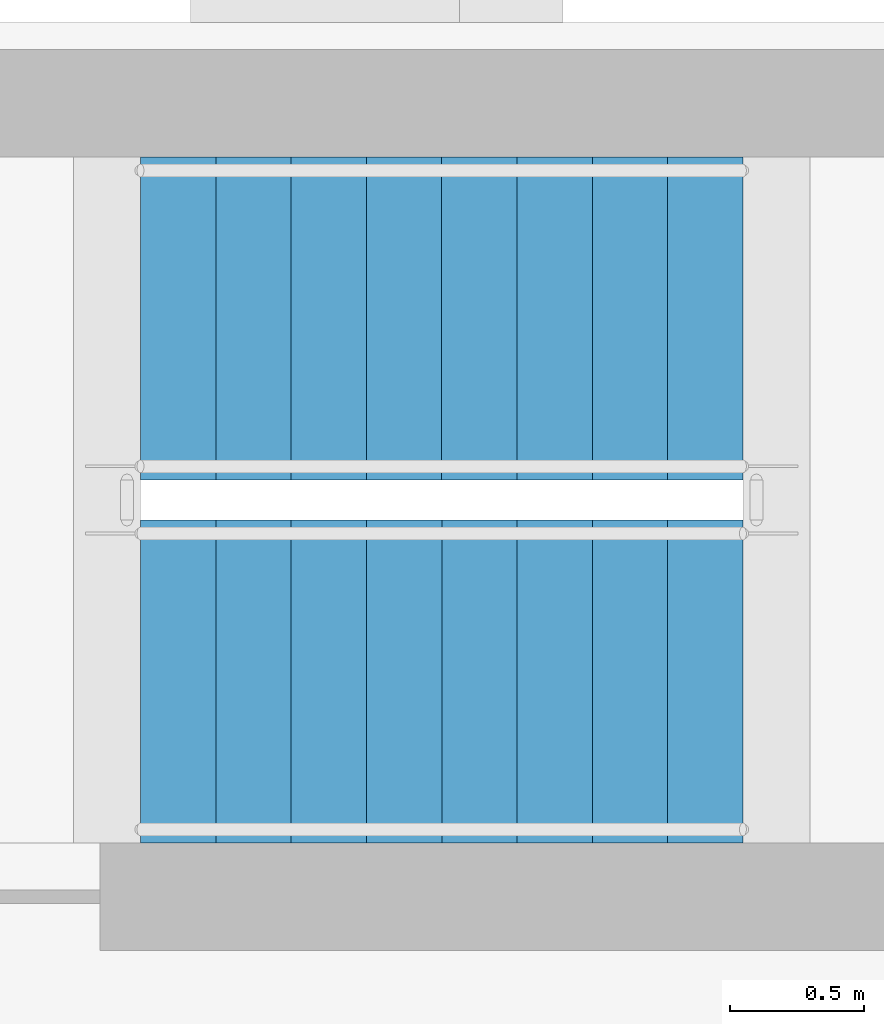
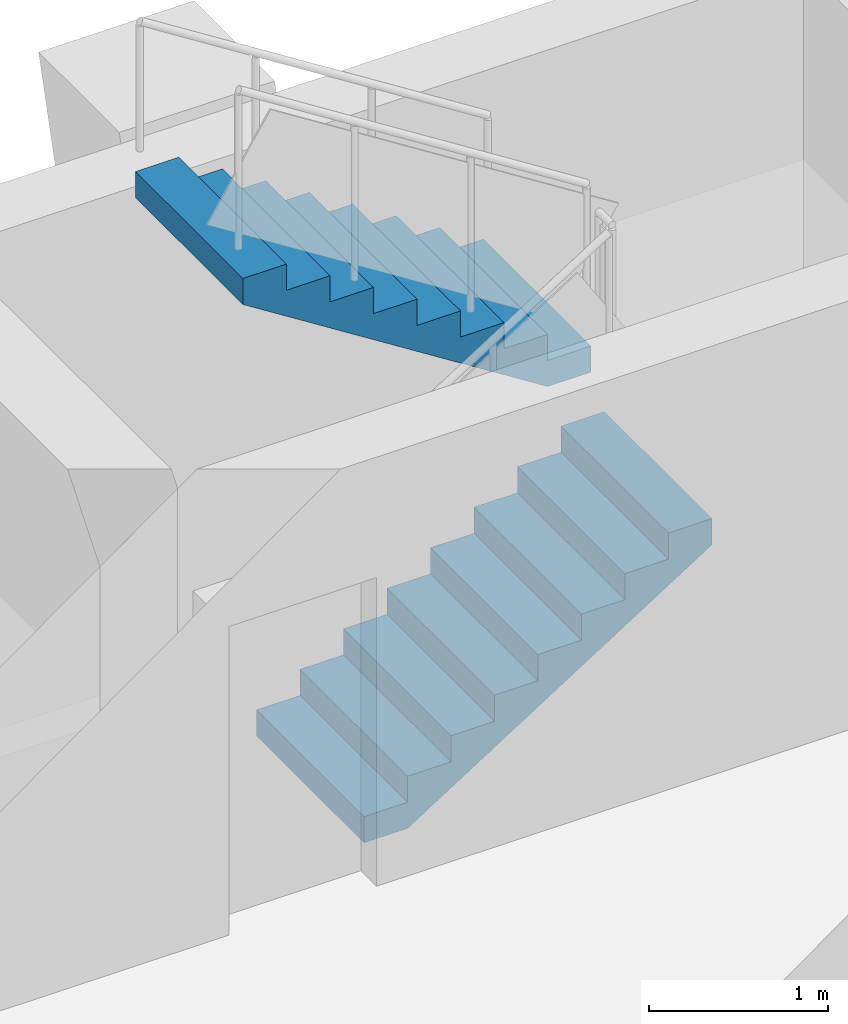
# One storey, part 12 of 16: 2 stair flights, 1 element without a shape of its own.
"""IFC4 building model written with IfcOpenShell, lengths in metres."""

from ifc_helpers import new_model, si_unit, direction, frame, origin, place, context, subcontext, project, spatial, polyline, outline, extrude, material, type_object, element, aggregate, save


model = new_model("IFC4")

# Units and contexts
model_context = context("Model", 3, precision=1e-05, world=origin(), true_north=direction((0.0, 1.0)))
body_context = subcontext(model_context, "Body", "Model", "MODEL_VIEW")
ifc_project = project(units=[si_unit("LENGTHUNIT", "METRE"), si_unit("AREAUNIT", "SQUARE_METRE"), si_unit("VOLUMEUNIT", "CUBIC_METRE"), si_unit("PLANEANGLEUNIT", "RADIAN"), si_unit("MASSUNIT", "GRAM", prefix="KILO")], contexts=[model_context])

# Site, building, storey
site_placement = place(None, origin())
site = spatial("IfcSite", under=ifc_project, at=site_placement, CompositionType="ELEMENT")
building_placement = place(site_placement, origin())
building = spatial("IfcBuilding", under=site, at=building_placement, Name="Vidyagriha Tower", CompositionType="ELEMENT")
storey_placement = place(building_placement, frame((0.0, 0.0, 223.60009765625)))
storey = spatial("IfcBuildingStorey", under=building, at=storey_placement, Name="L58", CompositionType="ELEMENT", Elevation=223.60009765625)

# Stair, stair flights
ifc_material_1 = material(Name="Concrete C40/50", Category="concrete")
stair_type = type_object("IfcStairType", Name="Exit stair, half-turn, precast flights", PredefinedType="HALF_TURN_STAIR", material=ifc_material_1)
stair_placement = place(storey_placement, origin())
stair = element("IfcStair", 1, at=stair_placement, inside=storey, type_object=stair_type, Name="L58 Exit Stair ST3", PredefinedType="HALF_TURN_STAIR")
ifc_material_2 = material(Name="Precast concrete C40/50", Category="concrete")
stair_flight_type = type_object("IfcStairFlightType", Name="Exit stair flight 1200 mm, precast", PredefinedType="STRAIGHT", material=ifc_material_2)
stair_flight_1_placement = place(storey_placement, frame((4.0, 17.550048828125, 0.0)))
stair_flight_1 = element("IfcStairFlight", 2, at=stair_flight_1_placement, type_object=stair_flight_type, Name="ST3 flight 1", NumberOfRisers=9, NumberOfTreads=8, PredefinedType="STRAIGHT", RiserHeight=0.177777778, TreadLength=0.28, context=body_context, shape_type="SweptSolid", body=[
    extrude(outline(polyline([(0.0, 0.0), (0.0, 0.177734375), (0.280029296875, 0.177734375), (0.280029296875, 0.35546875), (0.56005859375, 0.35546875), (0.56005859375, 0.533447265625), (0.840087890625, 0.533447265625), (0.840087890625, 0.711181640625), (1.1201171875, 0.711181640625), (1.1201171875, 0.888916015625), (1.39990234375, 0.888916015625), (1.39990234375, 1.066650390625), (1.679931640625, 1.066650390625), (1.679931640625, 1.244384765625), (1.9599609375, 1.244384765625), (1.9599609375, 1.422119140625), (2.239990234375, 1.422119140625), (2.239990234375, 1.60009765625), (2.239990234375, 1.24462890625), (0.27978515625, 0.0), (0.0, 0.0)])), frame((0.0, 0.60009765625, 0.0), z_axis=(0.0, -1.0, 0.0), x_axis=(1.0, 0.0, 0.0)), (0.0, 0.0, 1.0), 1.199951171875),
])
stair_flight_2_placement = place(storey_placement, frame((6.239990234375, 18.89990234375, 1.599853515625), z_axis=(0.0, 0.0, 1.0), x_axis=(-1.0, 0.0, 0.0)))
stair_flight_2 = element("IfcStairFlight", 3, at=stair_flight_2_placement, type_object=stair_flight_type, Name="ST3 flight 2", NumberOfRisers=9, NumberOfTreads=8, PredefinedType="STRAIGHT", RiserHeight=0.177777778, TreadLength=0.28, context=body_context, shape_type="SweptSolid", body=[
    extrude(outline(polyline([(0.0, 0.0), (0.0, 0.177734375), (0.280029296875, 0.177734375), (0.280029296875, 0.35546875), (0.56005859375, 0.35546875), (0.56005859375, 0.533447265625), (0.840087890625, 0.533447265625), (0.840087890625, 0.711181640625), (1.1201171875, 0.711181640625), (1.1201171875, 0.888916015625), (1.39990234375, 0.888916015625), (1.39990234375, 1.066650390625), (1.679931640625, 1.066650390625), (1.679931640625, 1.244384765625), (1.9599609375, 1.244384765625), (1.9599609375, 1.422119140625), (2.239990234375, 1.422119140625), (2.239990234375, 1.60009765625), (2.239990234375, 1.24462890625), (0.27978515625, 0.0), (0.0, 0.0)])), frame((0.0, 0.60009765625, 0.0), z_axis=(0.0, -1.0, 0.0), x_axis=(1.0, 0.0, 0.0)), (0.0, 0.0, 1.0), 1.199951171875),
])
aggregate(stair, [stair_flight_1, stair_flight_2])

save(model, "model.ifc")
